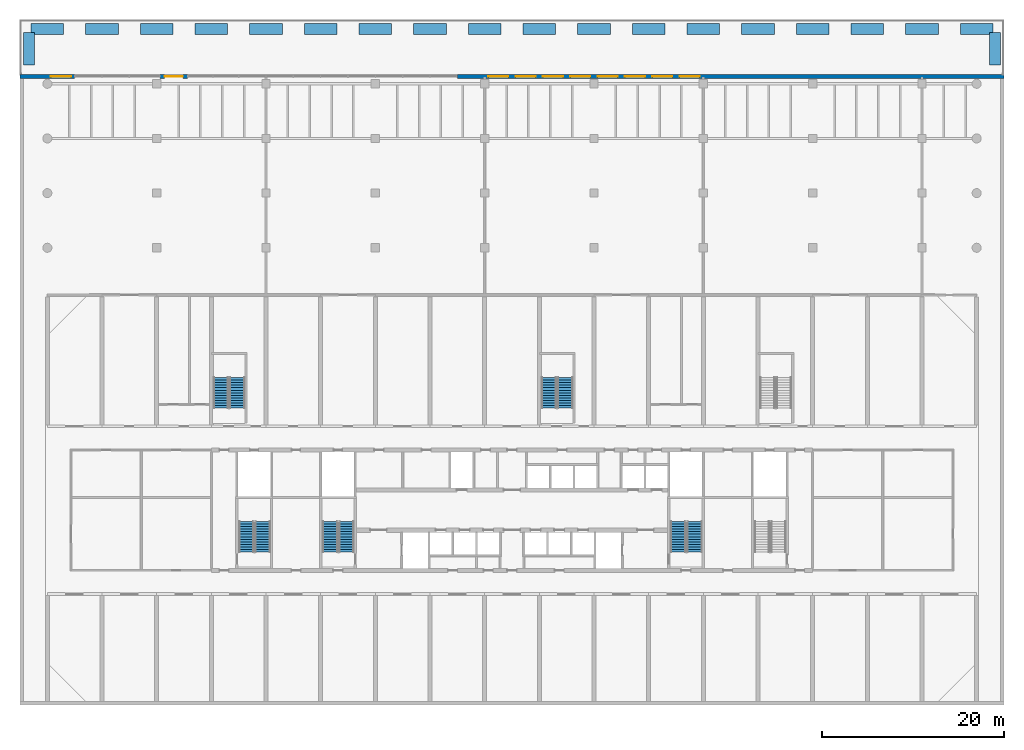
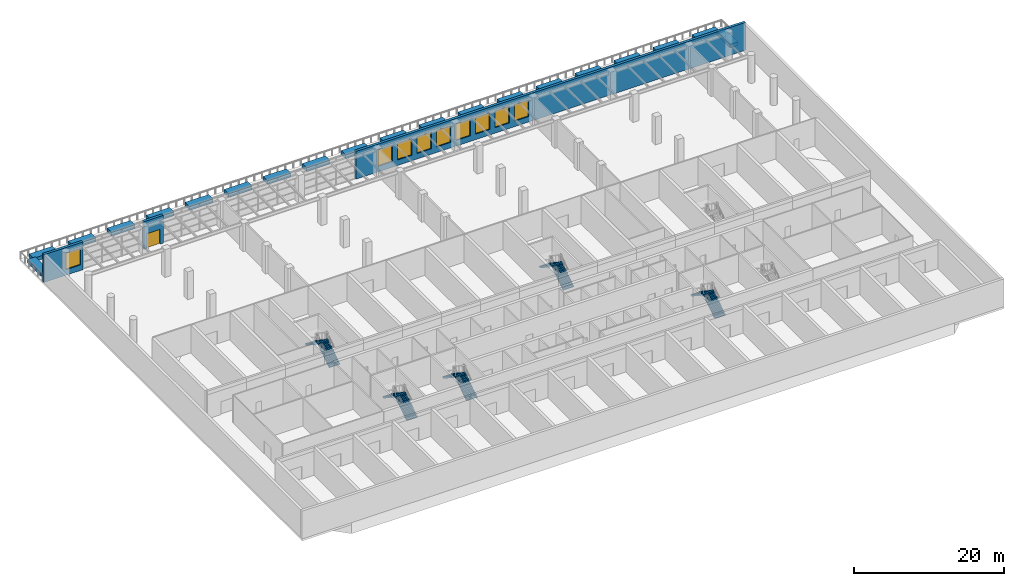
# One storey, part 16 of 20: 23 walls, 10 stair flights, 9 windows, 1 door, 10 openings, 5 elements without a shape of their own.
"""IFC4 building model written with IfcOpenShell, lengths in metres."""

import ifcopenshell
import ifcopenshell.guid

model = None  # the IFC model being written
_history = None  # IfcOwnerHistory: only IFC2X3 demands one
_inside = {}  # id of a spatial element -> (the spatial element, [elements in it])
_under = {}  # id of a project, library or spatial element -> (it, [spatial elements below it])
_declared = {}  # id of a project -> (the project, [libraries it declares])
_typed = {}  # id of a type object -> (the type object, [elements of that type])
_made_of = {}  # id of a material, layer set ... -> (it, [elements and type objects made of it])


def new_model(schema):
    """Start an empty IFC model of exactly this schema.

    Asked for "IFC4X3", IfcOpenShell would pick the latest addendum, in which some entities
    have other attributes; the version numbers below select the first issue.
    IFC2X3 requires an IfcOwnerHistory on every rooted entity: one is made here for all.
    """
    global model, _history
    if schema == "IFC4X3":
        model = ifcopenshell.file(schema_version=(4, 3, 0, 0))
    else:
        model = ifcopenshell.file(schema=schema)
    _inside.clear()
    _under.clear()
    _declared.clear()
    _typed.clear()
    _made_of.clear()
    _history = None
    if model.schema == "IFC2X3":
        org = make("IfcOrganization", Name="unknown")
        user = make(
            "IfcPersonAndOrganization",
            ThePerson=make("IfcPerson", FamilyName="unknown"),
            TheOrganization=org,
        )
        app = make(
            "IfcApplication",
            ApplicationDeveloper=org,
            Version="unknown",
            ApplicationFullName="unknown",
            ApplicationIdentifier="unknown",
        )
        _history = make(
            "IfcOwnerHistory",
            OwningUser=user,
            OwningApplication=app,
            ChangeAction="ADDED",
            CreationDate=0,
        )
    return model


def make(cls, **values):
    """One entity of the class cls with the attributes given. An attribute that is None is left unset."""
    return model.create_entity(
        cls, **{name: value for name, value in values.items() if value is not None}
    )


def rooted(cls, **values):
    """An entity with a GlobalId (a new one), such as an element, a storey or a relation."""
    return make(cls, GlobalId=ifcopenshell.guid.new(), OwnerHistory=_history, **values)


def si_unit(unit_type, name, prefix=None):
    """IfcSIUnit, for example si_unit("LENGTHUNIT", "METRE", prefix="MILLI")."""
    return make("IfcSIUnit", UnitType=unit_type, Prefix=prefix, Name=name)


def assignment(units):
    """IfcUnitAssignment: the units of a project."""
    return None if units is None else make("IfcUnitAssignment", Units=units)


def point(xyz):
    """IfcCartesianPoint."""
    return None if xyz is None else make("IfcCartesianPoint", Coordinates=xyz)


def direction(xyz):
    """IfcDirection."""
    return None if xyz is None else make("IfcDirection", DirectionRatios=xyz)


def frame(location, z_axis=None, x_axis=None):
    """IfcAxis2Placement3D, a coordinate frame: its origin and axes. An axis left out is left unset."""
    return make(
        "IfcAxis2Placement3D",
        Location=point(location),
        Axis=direction(z_axis),
        RefDirection=direction(x_axis),
    )


def frame_2d(location, x_axis=None):
    """IfcAxis2Placement2D, a coordinate frame in the plane: its origin and x axis."""
    return make(
        "IfcAxis2Placement2D", Location=point(location), RefDirection=direction(x_axis)
    )


def origin():
    """The frame at (0, 0, 0) with its axes left unset."""
    return frame((0.0, 0.0, 0.0))


def place(relative_to, where):
    """IfcLocalPlacement: puts the frame where relative to a parent placement (None: the world)."""
    return make(
        "IfcLocalPlacement", PlacementRelTo=relative_to, RelativePlacement=where
    )


def context(
    kind, dimensions, precision=None, world=None, true_north=None, identifier=None
):
    """IfcGeometricRepresentationContext, for example the 3D "Model" context."""
    return make(
        "IfcGeometricRepresentationContext",
        ContextIdentifier=identifier,
        ContextType=kind,
        CoordinateSpaceDimension=dimensions,
        Precision=precision,
        WorldCoordinateSystem=world,
        TrueNorth=true_north,
    )


def subcontext(parent, identifier, kind, view, scale=None):
    """IfcGeometricRepresentationSubContext, for example "Body" below "Model"."""
    return make(
        "IfcGeometricRepresentationSubContext",
        ContextIdentifier=identifier,
        ContextType=kind,
        ParentContext=parent,
        TargetScale=scale,
        TargetView=view,
    )


def project(units=None, contexts=None):
    """IfcProject with its units and contexts."""
    return rooted(
        "IfcProject",
        Name="project",
        RepresentationContexts=contexts,
        UnitsInContext=assignment(units),
    )


def spatial(cls, under=None, at=None, **own):
    """A site, building, storey or space (cls), placed at a placement, below another one or the project."""
    s = rooted(cls, ObjectPlacement=at, **own)
    if under is not None:
        _under.setdefault(under.id(), (under, []))[1].append(s)
    return s


def polyline(points):
    """IfcPolyline through the points."""
    return make("IfcPolyline", Points=[point(p) for p in points])


def profile(cls, at=None, kind="AREA", **sizes):
    """A parametric profile (cls). Its sizes go by their IFC names, for example OverallWidth=200.0."""
    return make(cls, ProfileType=kind, Position=at, **sizes)


def rectangle(**sizes):
    """IfcRectangleProfileDef."""
    return profile("IfcRectangleProfileDef", **sizes)


def outline(outer, holes=None, kind="AREA"):
    """IfcArbitraryClosedProfileDef: a profile drawn as a closed curve; with holes, ...WithVoids."""
    if holes is None:
        return make("IfcArbitraryClosedProfileDef", ProfileType=kind, OuterCurve=outer)
    return make(
        "IfcArbitraryProfileDefWithVoids",
        ProfileType=kind,
        OuterCurve=outer,
        InnerCurves=holes,
    )


def extrude(swept, where, along, depth):
    """IfcExtrudedAreaSolid: the profile swept, set in the frame where, extruded along a direction by depth."""
    return make(
        "IfcExtrudedAreaSolid",
        SweptArea=swept,
        Position=where,
        ExtrudedDirection=direction(along),
        Depth=depth,
    )


def shape(context_of_items, identifier, shape_type, items):
    """IfcShapeRepresentation: the items that make up one representation, for example the "Body"."""
    return make(
        "IfcShapeRepresentation",
        ContextOfItems=context_of_items,
        RepresentationIdentifier=identifier,
        RepresentationType=shape_type,
        Items=items,
    )


def source(mapping_origin, context_of_items, identifier, shape_type, items):
    """IfcRepresentationMap: a shape defined once, which mapped items show again and again."""
    return make(
        "IfcRepresentationMap",
        MappingOrigin=mapping_origin,
        MappedRepresentation=shape(context_of_items, identifier, shape_type, items),
    )


def transform(
    local_origin,
    x_axis=None,
    y_axis=None,
    z_axis=None,
    scale=None,
    scale2=None,
    scale3=None,
    uniform=True,
):
    """IfcCartesianTransformationOperator3D, or its non-uniform kind. x_axis, y_axis, z_axis: its Axis1, 2, 3."""
    if uniform:
        return make(
            "IfcCartesianTransformationOperator3D",
            Axis1=direction(x_axis),
            Axis2=direction(y_axis),
            LocalOrigin=point(local_origin),
            Scale=scale,
            Axis3=direction(z_axis),
        )
    return make(
        "IfcCartesianTransformationOperator3DnonUniform",
        Axis1=direction(x_axis),
        Axis2=direction(y_axis),
        LocalOrigin=point(local_origin),
        Scale=scale,
        Axis3=direction(z_axis),
        Scale2=scale2,
        Scale3=scale3,
    )


def mapped(mapping_source, mapping_target):
    """IfcMappedItem: shows the shape of a source again, moved by a transform."""
    return make(
        "IfcMappedItem", MappingSource=mapping_source, MappingTarget=mapping_target
    )


def material(Name=None, Category=None):
    """IfcMaterial."""
    return make("IfcMaterial", Name=Name, Category=Category)


def layer(
    of_material, thickness, ventilated=None, Name=None, Category=None, Priority=None
):
    """IfcMaterialLayer: one layer of a wall or slab, of a material (None: an air gap)."""
    return make(
        "IfcMaterialLayer",
        Material=of_material,
        LayerThickness=thickness,
        IsVentilated=ventilated,
        Name=Name,
        Category=Category,
        Priority=Priority,
    )


def layer_set(layers, Name=None):
    """IfcMaterialLayerSet."""
    return make("IfcMaterialLayerSet", MaterialLayers=layers, LayerSetName=Name)


def made_of(thing, what):
    """Note that an element or type object is made of a material, layer set ...; save() writes the relation."""
    if what is not None:
        _made_of.setdefault(what.id(), (what, []))[1].append(thing)
    return thing


def type_object(cls, material=None, **own):
    """A type object (cls), such as IfcWallType, which elements share."""
    return made_of(rooted(cls, **own), material)


def element(
    cls,
    number,
    at=None,
    inside=None,
    cuts=None,
    type_object=None,
    material=None,
    context=None,
    identifier="Body",
    shape_type=None,
    held_by="IfcProductDefinitionShape",
    body=None,
    shapes=None,
    **own,
):
    """One element of the class cls, such as IfcWall. Its Tag is "e" and its number.

    at: its placement. inside: the storey or other place that contains it. cuts: it is an
    opening in that element (IfcRelVoidsElement). A single representation is given by context,
    identifier, shape_type and body (its items); several are given by shapes. held_by: the class
    of the entity that holds the representations. save() writes the other relations.
    """
    e = rooted(cls, Tag="e%d" % number, ObjectPlacement=at, **own)
    if body is not None:
        shapes = [shape(context, identifier, shape_type, body)]
    if shapes is not None:
        e.Representation = make(held_by, Representations=shapes)
    if inside is not None:
        _inside.setdefault(inside.id(), (inside, []))[1].append(e)
    if cuts is not None:
        rooted(
            "IfcRelVoidsElement", RelatingBuildingElement=cuts, RelatedOpeningElement=e
        )
    if type_object is not None:
        _typed.setdefault(type_object.id(), (type_object, []))[1].append(e)
    return made_of(e, material)


def fill(opening, filler):
    """IfcRelFillsElement: the door or window that sits in an opening."""
    return rooted(
        "IfcRelFillsElement",
        RelatingOpeningElement=opening,
        RelatedBuildingElement=filler,
    )


def aggregate(whole, parts):
    """IfcRelAggregates: a whole, such as a stair, and the parts it consists of."""
    return rooted("IfcRelAggregates", RelatingObject=whole, RelatedObjects=parts)


def save(model, path):
    """Write the relations noted so far, then the file.

    IfcRelAggregates (storeys below a building ...), IfcRelContainedInSpatialStructure (elements
    in a storey), IfcRelDefinesByType, IfcRelAssociatesMaterial and IfcRelDeclares: one each for
    every whole, place, type object, material and project.
    """
    for whole, parts in _under.values():
        aggregate(whole, parts)
    for where, things in _inside.values():
        rooted(
            "IfcRelContainedInSpatialStructure",
            RelatedElements=things,
            RelatingStructure=where,
        )
    for kind, things in _typed.values():
        rooted("IfcRelDefinesByType", RelatedObjects=things, RelatingType=kind)
    for what, things in _made_of.values():
        rooted("IfcRelAssociatesMaterial", RelatedObjects=things, RelatingMaterial=what)
    for by, libraries in _declared.values():
        rooted("IfcRelDeclares", RelatingContext=by, RelatedDefinitions=libraries)
    model.write(path)


model = new_model("IFC4")

# Units and contexts
model_context = context("Model", 3, precision=1e-05, world=origin(), true_north=direction((0.0, 1.0)))
body_context = subcontext(model_context, "Body", "Model", "MODEL_VIEW")
ifc_project = project(units=[si_unit("LENGTHUNIT", "METRE"), si_unit("AREAUNIT", "SQUARE_METRE"), si_unit("VOLUMEUNIT", "CUBIC_METRE"), si_unit("PLANEANGLEUNIT", "RADIAN"), si_unit("MASSUNIT", "GRAM", prefix="KILO")], contexts=[model_context])

# Site, building, storey
site_placement = place(None, origin())
site = spatial("IfcSite", under=ifc_project, at=site_placement, CompositionType="ELEMENT")
building_placement = place(site_placement, origin())
building = spatial("IfcBuilding", under=site, at=building_placement, Name="Poui Terraces", CompositionType="ELEMENT")
storey_placement = place(building_placement, frame((0.0, 0.0, 6.0)))
storey = spatial("IfcBuildingStorey", under=building, at=storey_placement, Name="L01", CompositionType="ELEMENT", Elevation=6.0)

# Wall, openings, windows
ifc_material_1 = material(Name="Precast concrete 40 MPa", Category="concrete")
ifc_layer_1 = layer(ifc_material_1, 0.39990234375)
ifc_layer_set_1 = layer_set([ifc_layer_1], Name="Precast concrete 40 MPa")
wall_type_1 = type_object("IfcWallType", Name="EXTERNAL WALL 400", PredefinedType="STANDARD", material=ifc_layer_set_1)
wall_1_placement = place(storey_placement, frame((105.0, 68.800048828125, 0.0), z_axis=(0.0, 0.0, 1.0), x_axis=(-1.0, 0.0, 0.0)))
wall_1 = element("IfcWall", 1, at=wall_1_placement, inside=storey, type_object=wall_type_1, Name="EXTERNAL WALL N", PredefinedType="STANDARD", context=body_context, shape_type="SweptSolid", body=[
    extrude(rectangle(XDim=60.0, YDim=0.39990234375, at=frame_2d((30.0, 0.0))), origin(), (0.0, 0.0, 1.0), 4.52001953125),
])
opening_1_placement = place(wall_1_placement, frame((54.39990234375, 0.0, 0.89990234375)))
opening_1 = element("IfcOpeningElement", 2, at=opening_1_placement, cuts=wall_1, Name="Opening W4", PredefinedType="OPENING", context=body_context, shape_type="SweptSolid", body=[
    extrude(rectangle(XDim=2.199951171875, YDim=2.699951171875, at=frame_2d((1.10009765625, 1.35009765625))), frame((0.0, 0.2099609375, 0.0), z_axis=(0.0, -1.0, 0.0), x_axis=(1.0, 0.0, 0.0)), (0.0, 0.0, 1.0), 0.419921875),
])
opening_2_placement = place(wall_1_placement, frame((51.39990234375, 0.0, 0.89990234375)))
opening_2 = element("IfcOpeningElement", 3, at=opening_2_placement, cuts=wall_1, Name="Opening W4", PredefinedType="OPENING", context=body_context, shape_type="SweptSolid", body=[
    extrude(rectangle(XDim=2.199951171875, YDim=2.699951171875, at=frame_2d((1.10009765625, 1.35009765625))), frame((0.0, 0.2099609375, 0.0), z_axis=(0.0, -1.0, 0.0), x_axis=(1.0, 0.0, 0.0)), (0.0, 0.0, 1.0), 0.419921875),
])
opening_3_placement = place(wall_1_placement, frame((48.39990234375, 0.0, 0.89990234375)))
opening_3 = element("IfcOpeningElement", 4, at=opening_3_placement, cuts=wall_1, Name="Opening W4", PredefinedType="OPENING", context=body_context, shape_type="SweptSolid", body=[
    extrude(rectangle(XDim=2.199951171875, YDim=2.699951171875, at=frame_2d((1.10009765625, 1.35009765625))), frame((0.0, 0.2099609375, 0.0), z_axis=(0.0, -1.0, 0.0), x_axis=(1.0, 0.0, 0.0)), (0.0, 0.0, 1.0), 0.419921875),
])
opening_4_placement = place(wall_1_placement, frame((45.39990234375, 0.0, 0.89990234375)))
opening_4 = element("IfcOpeningElement", 5, at=opening_4_placement, cuts=wall_1, Name="Opening W4", PredefinedType="OPENING", context=body_context, shape_type="SweptSolid", body=[
    extrude(rectangle(XDim=2.199951171875, YDim=2.699951171875, at=frame_2d((1.10009765625, 1.35009765625))), frame((0.0, 0.2099609375, 0.0), z_axis=(0.0, -1.0, 0.0), x_axis=(1.0, 0.0, 0.0)), (0.0, 0.0, 1.0), 0.419921875),
])
opening_5_placement = place(wall_1_placement, frame((42.39990234375, 0.0, 0.89990234375)))
opening_5 = element("IfcOpeningElement", 6, at=opening_5_placement, cuts=wall_1, Name="Opening W4", PredefinedType="OPENING", context=body_context, shape_type="SweptSolid", body=[
    extrude(rectangle(XDim=2.199951171875, YDim=2.699951171875, at=frame_2d((1.10009765625, 1.35009765625))), frame((0.0, 0.2099609375, 0.0), z_axis=(0.0, -1.0, 0.0), x_axis=(1.0, 0.0, 0.0)), (0.0, 0.0, 1.0), 0.419921875),
])
opening_6_placement = place(wall_1_placement, frame((39.39990234375, 0.0, 0.89990234375)))
opening_6 = element("IfcOpeningElement", 7, at=opening_6_placement, cuts=wall_1, Name="Opening W4", PredefinedType="OPENING", context=body_context, shape_type="SweptSolid", body=[
    extrude(rectangle(XDim=2.199951171875, YDim=2.699951171875, at=frame_2d((1.10009765625, 1.35009765625))), frame((0.0, 0.2099609375, 0.0), z_axis=(0.0, -1.0, 0.0), x_axis=(1.0, 0.0, 0.0)), (0.0, 0.0, 1.0), 0.419921875),
])
opening_7_placement = place(wall_1_placement, frame((36.39990234375, 0.0, 0.89990234375)))
opening_7 = element("IfcOpeningElement", 8, at=opening_7_placement, cuts=wall_1, Name="Opening W4", PredefinedType="OPENING", context=body_context, shape_type="SweptSolid", body=[
    extrude(rectangle(XDim=2.199951171875, YDim=2.699951171875, at=frame_2d((1.10009765625, 1.35009765625))), frame((0.0, 0.2099609375, 0.0), z_axis=(0.0, -1.0, 0.0), x_axis=(1.0, 0.0, 0.0)), (0.0, 0.0, 1.0), 0.419921875),
])
opening_8_placement = place(wall_1_placement, frame((33.39990234375, 0.0, 0.89990234375)))
opening_8 = element("IfcOpeningElement", 9, at=opening_8_placement, cuts=wall_1, Name="Opening W4", PredefinedType="OPENING", context=body_context, shape_type="SweptSolid", body=[
    extrude(rectangle(XDim=2.199951171875, YDim=2.699951171875, at=frame_2d((1.10009765625, 1.35009765625))), frame((0.0, 0.2099609375, 0.0), z_axis=(0.0, -1.0, 0.0), x_axis=(1.0, 0.0, 0.0)), (0.0, 0.0, 1.0), 0.419921875),
])
ifc_material_2 = material(Name="Clear glass in aluminium frame", Category="aluminium")
window_type = type_object("IfcWindowType", Name="WINDOW 2200X2700", PartitioningType="DOUBLE_PANEL_HORIZONTAL", PredefinedType="WINDOW", material=ifc_material_2)
window_1_placement = place(opening_1_placement, origin())
window_1 = element("IfcWindow", 10, at=window_1_placement, inside=storey, type_object=window_type, Name="W4 WINDOW", OverallHeight=2.699951171875, OverallWidth=2.199951171875, PartitioningType="DOUBLE_PANEL_HORIZONTAL", PredefinedType="WINDOW", context=body_context, shape_type="SweptSolid", body=[
    extrude(rectangle(XDim=2.199951171875, YDim=2.699951171875, at=frame_2d((1.10009765625, 1.35009765625))), frame((0.0, 0.030029296875, 0.0), z_axis=(0.0, -1.0, 0.0), x_axis=(1.0, 0.0, 0.0)), (0.0, 0.0, 1.0), 0.06005859375),
])
fill(opening_1, window_1)
window_2_placement = place(opening_2_placement, origin())
window_2 = element("IfcWindow", 11, at=window_2_placement, inside=storey, type_object=window_type, Name="W4 WINDOW", OverallHeight=2.699951171875, OverallWidth=2.199951171875, PartitioningType="DOUBLE_PANEL_HORIZONTAL", PredefinedType="WINDOW", context=body_context, shape_type="SweptSolid", body=[
    extrude(rectangle(XDim=2.199951171875, YDim=2.699951171875, at=frame_2d((1.10009765625, 1.35009765625))), frame((0.0, 0.030029296875, 0.0), z_axis=(0.0, -1.0, 0.0), x_axis=(1.0, 0.0, 0.0)), (0.0, 0.0, 1.0), 0.06005859375),
])
fill(opening_2, window_2)
window_3_placement = place(opening_3_placement, origin())
window_3 = element("IfcWindow", 12, at=window_3_placement, inside=storey, type_object=window_type, Name="W4 WINDOW", OverallHeight=2.699951171875, OverallWidth=2.199951171875, PartitioningType="DOUBLE_PANEL_HORIZONTAL", PredefinedType="WINDOW", context=body_context, shape_type="SweptSolid", body=[
    extrude(rectangle(XDim=2.199951171875, YDim=2.699951171875, at=frame_2d((1.10009765625, 1.35009765625))), frame((0.0, 0.030029296875, 0.0), z_axis=(0.0, -1.0, 0.0), x_axis=(1.0, 0.0, 0.0)), (0.0, 0.0, 1.0), 0.06005859375),
])
fill(opening_3, window_3)
window_4_placement = place(opening_4_placement, origin())
window_4 = element("IfcWindow", 13, at=window_4_placement, inside=storey, type_object=window_type, Name="W4 WINDOW", OverallHeight=2.699951171875, OverallWidth=2.199951171875, PartitioningType="DOUBLE_PANEL_HORIZONTAL", PredefinedType="WINDOW", context=body_context, shape_type="SweptSolid", body=[
    extrude(rectangle(XDim=2.199951171875, YDim=2.699951171875, at=frame_2d((1.10009765625, 1.35009765625))), frame((0.0, 0.030029296875, 0.0), z_axis=(0.0, -1.0, 0.0), x_axis=(1.0, 0.0, 0.0)), (0.0, 0.0, 1.0), 0.06005859375),
])
fill(opening_4, window_4)
window_5_placement = place(opening_5_placement, origin())
window_5 = element("IfcWindow", 14, at=window_5_placement, inside=storey, type_object=window_type, Name="W4 WINDOW", OverallHeight=2.699951171875, OverallWidth=2.199951171875, PartitioningType="DOUBLE_PANEL_HORIZONTAL", PredefinedType="WINDOW", context=body_context, shape_type="SweptSolid", body=[
    extrude(rectangle(XDim=2.199951171875, YDim=2.699951171875, at=frame_2d((1.10009765625, 1.35009765625))), frame((0.0, 0.030029296875, 0.0), z_axis=(0.0, -1.0, 0.0), x_axis=(1.0, 0.0, 0.0)), (0.0, 0.0, 1.0), 0.06005859375),
])
fill(opening_5, window_5)
window_6_placement = place(opening_6_placement, origin())
window_6 = element("IfcWindow", 15, at=window_6_placement, inside=storey, type_object=window_type, Name="W4 WINDOW", OverallHeight=2.699951171875, OverallWidth=2.199951171875, PartitioningType="DOUBLE_PANEL_HORIZONTAL", PredefinedType="WINDOW", context=body_context, shape_type="SweptSolid", body=[
    extrude(rectangle(XDim=2.199951171875, YDim=2.699951171875, at=frame_2d((1.10009765625, 1.35009765625))), frame((0.0, 0.030029296875, 0.0), z_axis=(0.0, -1.0, 0.0), x_axis=(1.0, 0.0, 0.0)), (0.0, 0.0, 1.0), 0.06005859375),
])
fill(opening_6, window_6)
window_7_placement = place(opening_7_placement, origin())
window_7 = element("IfcWindow", 16, at=window_7_placement, inside=storey, type_object=window_type, Name="W4 WINDOW", OverallHeight=2.699951171875, OverallWidth=2.199951171875, PartitioningType="DOUBLE_PANEL_HORIZONTAL", PredefinedType="WINDOW", context=body_context, shape_type="SweptSolid", body=[
    extrude(rectangle(XDim=2.199951171875, YDim=2.699951171875, at=frame_2d((1.10009765625, 1.35009765625))), frame((0.0, 0.030029296875, 0.0), z_axis=(0.0, -1.0, 0.0), x_axis=(1.0, 0.0, 0.0)), (0.0, 0.0, 1.0), 0.06005859375),
])
fill(opening_7, window_7)
window_8_placement = place(opening_8_placement, origin())
window_8 = element("IfcWindow", 17, at=window_8_placement, inside=storey, type_object=window_type, Name="W4 WINDOW", OverallHeight=2.699951171875, OverallWidth=2.199951171875, PartitioningType="DOUBLE_PANEL_HORIZONTAL", PredefinedType="WINDOW", context=body_context, shape_type="SweptSolid", body=[
    extrude(rectangle(XDim=2.199951171875, YDim=2.699951171875, at=frame_2d((1.10009765625, 1.35009765625))), frame((0.0, 0.030029296875, 0.0), z_axis=(0.0, -1.0, 0.0), x_axis=(1.0, 0.0, 0.0)), (0.0, 0.0, 1.0), 0.06005859375),
])
fill(opening_8, window_8)

# Wall, opening, door
wall_2_placement = place(storey_placement, frame((15.3798828125, 68.800048828125, 0.0), z_axis=(0.0, 0.0, 1.0), x_axis=(-1.0, 0.0, 0.0)))
wall_2 = element("IfcWall", 18, at=wall_2_placement, inside=storey, type_object=wall_type_1, Name="EXTERNAL WALL N", PredefinedType="STANDARD", context=body_context, shape_type="SweptSolid", body=[
    extrude(rectangle(XDim=3.0, YDim=0.39990234375, at=frame_2d((1.5, 0.0))), origin(), (0.0, 0.0, 1.0), 4.52001953125),
])
opening_9_placement = place(wall_2_placement, frame((0.5, 0.0, 0.0)))
opening_9 = element("IfcOpeningElement", 19, at=opening_9_placement, cuts=wall_2, Name="Opening XDD200", PredefinedType="OPENING", context=body_context, shape_type="SweptSolid", body=[
    extrude(rectangle(XDim=2.0, YDim=2.39990234375, at=frame_2d((1.0, 1.199951171875))), frame((0.0, 0.2099609375, 0.0), z_axis=(0.0, -1.0, 0.0), x_axis=(1.0, 0.0, 0.0)), (0.0, 0.0, 1.0), 0.419921875),
])
ifc_material_3 = material(Name="Aluminium glazed door", Category="aluminium")
door_type = type_object("IfcDoorType", Name="EXTERNAL DOUBLE DOOR 2000 X 2400", OperationType="DOUBLE_DOOR_SINGLE_SWING", PredefinedType="DOOR", material=ifc_material_3)
door_placement = place(opening_9_placement, frame((2.0, 0.0, 0.0), z_axis=(0.0, 0.0, 1.0), x_axis=(-1.0, 0.0, 0.0)))
door = element("IfcDoor", 20, at=door_placement, inside=storey, type_object=door_type, Name="EXTERNAL DOUBLE DOOR 081", OperationType="DOUBLE_DOOR_SINGLE_SWING", OverallHeight=2.39990234375, OverallWidth=2.0, PredefinedType="DOOR", context=body_context, shape_type="SweptSolid", body=[
    extrude(rectangle(XDim=2.0, YDim=2.39990234375, at=frame_2d((1.0, 1.199951171875))), frame((0.0, 0.02490234375, 0.0), z_axis=(0.0, -1.0, 0.0), x_axis=(1.0, 0.0, 0.0)), (0.0, 0.0, 1.0), 0.050048828125),
])
fill(opening_9, door)

# Wall, opening, window
wall_3_placement = place(storey_placement, frame((3.0, 68.800048828125, 0.0), z_axis=(0.0, 0.0, 1.0), x_axis=(-1.0, 0.0, 0.0)))
wall_3 = element("IfcWall", 21, at=wall_3_placement, inside=storey, type_object=wall_type_1, Name="EXTERNAL WALL N", PredefinedType="STANDARD", context=body_context, shape_type="SweptSolid", body=[
    extrude(rectangle(XDim=6.0, YDim=0.39990234375, at=frame_2d((3.0, 0.0))), origin(), (0.0, 0.0, 1.0), 4.52001953125),
])
opening_10_placement = place(wall_3_placement, frame((0.39990234375, 0.0, 0.89990234375)))
opening_10 = element("IfcOpeningElement", 22, at=opening_10_placement, cuts=wall_3, Name="Opening W4", PredefinedType="OPENING", context=body_context, shape_type="SweptSolid", body=[
    extrude(rectangle(XDim=2.199951171875, YDim=2.699951171875, at=frame_2d((1.10009765625, 1.35009765625))), frame((0.0, 0.2099609375, 0.0), z_axis=(0.0, -1.0, 0.0), x_axis=(1.0, 0.0, 0.0)), (0.0, 0.0, 1.0), 0.419921875),
])
window_9_placement = place(opening_10_placement, origin())
window_9 = element("IfcWindow", 23, at=window_9_placement, inside=storey, type_object=window_type, Name="W4 WINDOW", OverallHeight=2.699951171875, OverallWidth=2.199951171875, PartitioningType="DOUBLE_PANEL_HORIZONTAL", PredefinedType="WINDOW", context=body_context, shape_type="SweptSolid", body=[
    extrude(rectangle(XDim=2.199951171875, YDim=2.699951171875, at=frame_2d((1.10009765625, 1.35009765625))), frame((0.0, 0.030029296875, 0.0), z_axis=(0.0, -1.0, 0.0), x_axis=(1.0, 0.0, 0.0)), (0.0, 0.0, 1.0), 0.06005859375),
])
fill(opening_10, window_9)

# Walls
ifc_layer_2 = layer(ifc_material_1, 1.199951171875)
ifc_layer_set_2 = layer_set([ifc_layer_2], Name="Precast concrete 40 MPa")
wall_type_2 = type_object("IfcWallType", Name="PLANTER 600", PredefinedType="USERDEFINED", material=ifc_layer_set_2)
shared_shape_1 = source(origin(), body_context, "Body", "SweptSolid", [
    extrude(outline(polyline([(0.0, 0.0), (3.60009765625, 0.0), (3.60009765625, 1.2001953125), (0.0, 1.2001953125), (0.0, 0.0)])), origin(), (0.0, 0.0, 1.0), 0.60009765625),
])
for number, where, name in (
    (24, (-1.800048828125, 73.419921875, 0.0), "PLANTER"),
    (25, (4.199951171875, 73.419921875, 0.0), "PLANTER"),
    (26, (10.199951171875, 73.419921875, 0.0), "PLANTER"),
    (27, (16.199951171875, 73.419921875, 0.0), "PLANTER"),
    (28, (22.199951171875, 73.419921875, 0.0), "PLANTER"),
    (29, (28.199951171875, 73.419921875, 0.0), "PLANTER"),
    (30, (34.199951171875, 73.419921875, 0.0), "PLANTER"),
    (31, (40.199951171875, 73.419921875, 0.0), "PLANTER"),
    (32, (46.199951171875, 73.419921875, 0.0), "PLANTER"),
    (33, (52.199951171875, 73.419921875, 0.0), "PLANTER"),
    (34, (58.199951171875, 73.419921875, 0.0), "PLANTER"),
    (35, (64.199951171875, 73.419921875, 0.0), "PLANTER"),
    (36, (70.199951171875, 73.419921875, 0.0), "PLANTER"),
    (37, (76.199951171875, 73.419921875, 0.0), "PLANTER"),
    (38, (82.199951171875, 73.419921875, 0.0), "PLANTER"),
    (39, (88.199951171875, 73.419921875, 0.0), "PLANTER"),
    (40, (94.199951171875, 73.419921875, 0.0), "PLANTER"),
    (41, (100.199951171875, 73.419921875, 0.0), "PLANTER"),
):
    element("IfcWall", number, at=place(storey_placement, frame(where)), inside=storey, type_object=wall_type_2, Name=name, ObjectType="PLANTER", PredefinedType="USERDEFINED", context=body_context, shape_type="MappedRepresentation", body=[
        mapped(shared_shape_1, transform((0.0, 0.0, 0.0))),
    ])
shared_shape_2 = source(origin(), body_context, "Body", "SweptSolid", [
    extrude(outline(polyline([(0.0, 0.0), (1.2001953125, 0.0), (1.2001953125, 3.599853515625), (0.0, 3.599853515625), (0.0, 0.0)])), origin(), (0.0, 0.0, 1.0), 0.60009765625),
])
for number, where, name in (
    (42, (-2.6201171875, 70.0400390625, 0.0), "PLANTER"),
    (43, (103.419921875, 70.0400390625, 0.0), "PLANTER"),
):
    element("IfcWall", number, at=place(storey_placement, frame(where)), inside=storey, type_object=wall_type_2, Name=name, ObjectType="PLANTER", PredefinedType="USERDEFINED", context=body_context, shape_type="MappedRepresentation", body=[
        mapped(shared_shape_2, transform((0.0, 0.0, 0.0))),
    ])

# Stair, stair flights
ifc_material_4 = material(Name="Concrete 80 MPa", Category="concrete")
stair_type = type_object("IfcStairType", Name="EXIT STAIR 1650 80 MPA", PredefinedType="HALF_TURN_STAIR", material=ifc_material_4)
stair_1_placement = place(storey_placement, origin())
stair_1 = element("IfcStair", 44, at=stair_1_placement, inside=storey, type_object=stair_type, Name="L01 CORE STAIR EAST", PredefinedType="HALF_TURN_STAIR")
ifc_layer_3 = layer(ifc_material_4, 0.14990234375)
ifc_layer_set_3 = layer_set([ifc_layer_3], Name="Concrete 80 MPa")
stair_flight_type = type_object("IfcStairFlightType", Name="STAIR FLIGHT 13 RISERS 185 RISE 80 MPA", PredefinedType="STRAIGHT", material=ifc_layer_set_3)
stair_flight_1_placement = place(storey_placement, frame((71.050048828125, 16.60009765625, 0.0), z_axis=(0.0, 0.0, 1.0), x_axis=(0.0, 1.0, 0.0)))
stair_flight_1 = element("IfcStairFlight", 45, at=stair_flight_1_placement, type_object=stair_flight_type, Name="ST-CE flight 1", NumberOfRisers=13, NumberOfTreads=12, PredefinedType="STRAIGHT", RiserHeight=0.184615385, TreadLength=0.28, context=body_context, shape_type="SweptSolid", body=[
    extrude(outline(polyline([(0.0, 0.0), (0.0, 0.1845703125), (0.280029296875, 0.1845703125), (0.280029296875, 0.369140625), (0.56005859375, 0.369140625), (0.56005859375, 0.553955078125), (0.840087890625, 0.553955078125), (0.840087890625, 0.738525390625), (1.1201171875, 0.738525390625), (1.1201171875, 0.923095703125), (1.39990234375, 0.923095703125), (1.39990234375, 1.107666015625), (1.679931640625, 1.107666015625), (1.679931640625, 1.292236328125), (1.9599609375, 1.292236328125), (1.9599609375, 1.476806640625), (2.239990234375, 1.476806640625), (2.239990234375, 1.66162109375), (2.52001953125, 1.66162109375), (2.52001953125, 1.84619140625), (2.800048828125, 1.84619140625), (2.800048828125, 2.03076171875), (3.080078125, 2.03076171875), (3.080078125, 2.21533203125), (3.360107421875, 2.21533203125), (3.360107421875, 2.39990234375), (3.360107421875, 2.035888671875), (0.272216796875, 0.0), (0.0, 0.0)])), frame((0.0, 0.824951171875, 0.0), z_axis=(0.0, -1.0, 0.0), x_axis=(1.0, 0.0, 0.0)), (0.0, 0.0, 1.0), 1.64990234375),
])
stair_flight_2_placement = place(storey_placement, frame((69.25, 19.9599609375, 2.39990234375), z_axis=(0.0, 0.0, 1.0), x_axis=(0.0, -1.0, 0.0)))
stair_flight_2 = element("IfcStairFlight", 46, at=stair_flight_2_placement, type_object=stair_flight_type, Name="ST-CE flight 2", NumberOfRisers=13, NumberOfTreads=12, PredefinedType="STRAIGHT", RiserHeight=0.184615385, TreadLength=0.28, context=body_context, shape_type="SweptSolid", body=[
    extrude(outline(polyline([(0.0, 0.0), (0.0, 0.1845703125), (0.280029296875, 0.1845703125), (0.280029296875, 0.369140625), (0.56005859375, 0.369140625), (0.56005859375, 0.553955078125), (0.840087890625, 0.553955078125), (0.840087890625, 0.738525390625), (1.1201171875, 0.738525390625), (1.1201171875, 0.923095703125), (1.39990234375, 0.923095703125), (1.39990234375, 1.107666015625), (1.679931640625, 1.107666015625), (1.679931640625, 1.292236328125), (1.9599609375, 1.292236328125), (1.9599609375, 1.476806640625), (2.239990234375, 1.476806640625), (2.239990234375, 1.66162109375), (2.52001953125, 1.66162109375), (2.52001953125, 1.84619140625), (2.800048828125, 1.84619140625), (2.800048828125, 2.03076171875), (3.080078125, 2.03076171875), (3.080078125, 2.21533203125), (3.360107421875, 2.21533203125), (3.360107421875, 2.39990234375), (3.360107421875, 2.035888671875), (0.272216796875, 0.0), (0.0, 0.0)])), frame((0.0, 0.824951171875, 0.0), z_axis=(0.0, -1.0, 0.0), x_axis=(1.0, 0.0, 0.0)), (0.0, 0.0, 1.0), 1.64990234375),
])
aggregate(stair_1, [stair_flight_1, stair_flight_2])

stair_2_placement = place(storey_placement, origin())
stair_2 = element("IfcStair", 47, at=stair_2_placement, inside=storey, type_object=stair_type, Name="L01 CORE STAIR WEST", PredefinedType="HALF_TURN_STAIR")
stair_flight_3_placement = place(storey_placement, frame((32.85009765625, 16.60009765625, 0.0), z_axis=(0.0, 0.0, 1.0), x_axis=(0.0, 1.0, 0.0)))
stair_flight_3 = element("IfcStairFlight", 48, at=stair_flight_3_placement, type_object=stair_flight_type, Name="ST-CW flight 1", NumberOfRisers=13, NumberOfTreads=12, PredefinedType="STRAIGHT", RiserHeight=0.184615385, TreadLength=0.28, context=body_context, shape_type="SweptSolid", body=[
    extrude(outline(polyline([(0.0, 0.0), (0.0, 0.1845703125), (0.280029296875, 0.1845703125), (0.280029296875, 0.369140625), (0.56005859375, 0.369140625), (0.56005859375, 0.553955078125), (0.840087890625, 0.553955078125), (0.840087890625, 0.738525390625), (1.1201171875, 0.738525390625), (1.1201171875, 0.923095703125), (1.39990234375, 0.923095703125), (1.39990234375, 1.107666015625), (1.679931640625, 1.107666015625), (1.679931640625, 1.292236328125), (1.9599609375, 1.292236328125), (1.9599609375, 1.476806640625), (2.239990234375, 1.476806640625), (2.239990234375, 1.66162109375), (2.52001953125, 1.66162109375), (2.52001953125, 1.84619140625), (2.800048828125, 1.84619140625), (2.800048828125, 2.03076171875), (3.080078125, 2.03076171875), (3.080078125, 2.21533203125), (3.360107421875, 2.21533203125), (3.360107421875, 2.39990234375), (3.360107421875, 2.035888671875), (0.272216796875, 0.0), (0.0, 0.0)])), frame((0.0, 0.824951171875, 0.0), z_axis=(0.0, -1.0, 0.0), x_axis=(1.0, 0.0, 0.0)), (0.0, 0.0, 1.0), 1.64990234375),
])
stair_flight_4_placement = place(storey_placement, frame((31.050048828125, 19.9599609375, 2.39990234375), z_axis=(0.0, 0.0, 1.0), x_axis=(0.0, -1.0, 0.0)))
stair_flight_4 = element("IfcStairFlight", 49, at=stair_flight_4_placement, type_object=stair_flight_type, Name="ST-CW flight 2", NumberOfRisers=13, NumberOfTreads=12, PredefinedType="STRAIGHT", RiserHeight=0.184615385, TreadLength=0.28, context=body_context, shape_type="SweptSolid", body=[
    extrude(outline(polyline([(0.0, 0.0), (0.0, 0.1845703125), (0.280029296875, 0.1845703125), (0.280029296875, 0.369140625), (0.56005859375, 0.369140625), (0.56005859375, 0.553955078125), (0.840087890625, 0.553955078125), (0.840087890625, 0.738525390625), (1.1201171875, 0.738525390625), (1.1201171875, 0.923095703125), (1.39990234375, 0.923095703125), (1.39990234375, 1.107666015625), (1.679931640625, 1.107666015625), (1.679931640625, 1.292236328125), (1.9599609375, 1.292236328125), (1.9599609375, 1.476806640625), (2.239990234375, 1.476806640625), (2.239990234375, 1.66162109375), (2.52001953125, 1.66162109375), (2.52001953125, 1.84619140625), (2.800048828125, 1.84619140625), (2.800048828125, 2.03076171875), (3.080078125, 2.03076171875), (3.080078125, 2.21533203125), (3.360107421875, 2.21533203125), (3.360107421875, 2.39990234375), (3.360107421875, 2.035888671875), (0.272216796875, 0.0), (0.0, 0.0)])), frame((0.0, 0.824951171875, 0.0), z_axis=(0.0, -1.0, 0.0), x_axis=(1.0, 0.0, 0.0)), (0.0, 0.0, 1.0), 1.64990234375),
])
aggregate(stair_2, [stair_flight_3, stair_flight_4])

stair_3_placement = place(storey_placement, origin())
stair_3 = element("IfcStair", 50, at=stair_3_placement, inside=storey, type_object=stair_type, Name="L01 TIP STAIR WEST", PredefinedType="HALF_TURN_STAIR")
stair_flight_5_placement = place(storey_placement, frame((23.64990234375, 16.60009765625, 0.0), z_axis=(0.0, 0.0, 1.0), x_axis=(0.0, 1.0, 0.0)))
stair_flight_5 = element("IfcStairFlight", 51, at=stair_flight_5_placement, type_object=stair_flight_type, Name="ST-W flight 1", NumberOfRisers=13, NumberOfTreads=12, PredefinedType="STRAIGHT", RiserHeight=0.184615385, TreadLength=0.28, context=body_context, shape_type="SweptSolid", body=[
    extrude(outline(polyline([(0.0, 0.0), (0.0, 0.1845703125), (0.280029296875, 0.1845703125), (0.280029296875, 0.369140625), (0.56005859375, 0.369140625), (0.56005859375, 0.553955078125), (0.840087890625, 0.553955078125), (0.840087890625, 0.738525390625), (1.1201171875, 0.738525390625), (1.1201171875, 0.923095703125), (1.39990234375, 0.923095703125), (1.39990234375, 1.107666015625), (1.679931640625, 1.107666015625), (1.679931640625, 1.292236328125), (1.9599609375, 1.292236328125), (1.9599609375, 1.476806640625), (2.239990234375, 1.476806640625), (2.239990234375, 1.66162109375), (2.52001953125, 1.66162109375), (2.52001953125, 1.84619140625), (2.800048828125, 1.84619140625), (2.800048828125, 2.03076171875), (3.080078125, 2.03076171875), (3.080078125, 2.21533203125), (3.360107421875, 2.21533203125), (3.360107421875, 2.39990234375), (3.360107421875, 2.035888671875), (0.272216796875, 0.0), (0.0, 0.0)])), frame((0.0, 0.824951171875, 0.0), z_axis=(0.0, -1.0, 0.0), x_axis=(1.0, 0.0, 0.0)), (0.0, 0.0, 1.0), 1.64990234375),
])
stair_flight_6_placement = place(storey_placement, frame((21.85009765625, 19.9599609375, 2.39990234375), z_axis=(0.0, 0.0, 1.0), x_axis=(0.0, -1.0, 0.0)))
stair_flight_6 = element("IfcStairFlight", 52, at=stair_flight_6_placement, type_object=stair_flight_type, Name="ST-W flight 2", NumberOfRisers=13, NumberOfTreads=12, PredefinedType="STRAIGHT", RiserHeight=0.184615385, TreadLength=0.28, context=body_context, shape_type="SweptSolid", body=[
    extrude(outline(polyline([(0.0, 0.0), (0.0, 0.1845703125), (0.280029296875, 0.1845703125), (0.280029296875, 0.369140625), (0.56005859375, 0.369140625), (0.56005859375, 0.553955078125), (0.840087890625, 0.553955078125), (0.840087890625, 0.738525390625), (1.1201171875, 0.738525390625), (1.1201171875, 0.923095703125), (1.39990234375, 0.923095703125), (1.39990234375, 1.107666015625), (1.679931640625, 1.107666015625), (1.679931640625, 1.292236328125), (1.9599609375, 1.292236328125), (1.9599609375, 1.476806640625), (2.239990234375, 1.476806640625), (2.239990234375, 1.66162109375), (2.52001953125, 1.66162109375), (2.52001953125, 1.84619140625), (2.800048828125, 1.84619140625), (2.800048828125, 2.03076171875), (3.080078125, 2.03076171875), (3.080078125, 2.21533203125), (3.360107421875, 2.21533203125), (3.360107421875, 2.39990234375), (3.360107421875, 2.035888671875), (0.272216796875, 0.0), (0.0, 0.0)])), frame((0.0, 0.824951171875, 0.0), z_axis=(0.0, -1.0, 0.0), x_axis=(1.0, 0.0, 0.0)), (0.0, 0.0, 1.0), 1.64990234375),
])
aggregate(stair_3, [stair_flight_5, stair_flight_6])

stair_4_placement = place(storey_placement, origin())
stair_4 = element("IfcStair", 53, at=stair_4_placement, inside=storey, type_object=stair_type, Name="L01 PODIUM STAIR 1", PredefinedType="HALF_TURN_STAIR")
stair_flight_7_placement = place(storey_placement, frame((20.85009765625, 32.39990234375, 0.0), z_axis=(0.0, 0.0, 1.0), x_axis=(0.0, 1.0, 0.0)))
stair_flight_7 = element("IfcStairFlight", 54, at=stair_flight_7_placement, type_object=stair_flight_type, Name="ST-N1 flight 1", NumberOfRisers=13, NumberOfTreads=12, PredefinedType="STRAIGHT", RiserHeight=0.184615385, TreadLength=0.28, context=body_context, shape_type="SweptSolid", body=[
    extrude(outline(polyline([(0.0, 0.0), (0.0, 0.1845703125), (0.280029296875, 0.1845703125), (0.280029296875, 0.369140625), (0.56005859375, 0.369140625), (0.56005859375, 0.553955078125), (0.840087890625, 0.553955078125), (0.840087890625, 0.738525390625), (1.1201171875, 0.738525390625), (1.1201171875, 0.923095703125), (1.39990234375, 0.923095703125), (1.39990234375, 1.107666015625), (1.679931640625, 1.107666015625), (1.679931640625, 1.292236328125), (1.9599609375, 1.292236328125), (1.9599609375, 1.476806640625), (2.239990234375, 1.476806640625), (2.239990234375, 1.66162109375), (2.52001953125, 1.66162109375), (2.52001953125, 1.84619140625), (2.800048828125, 1.84619140625), (2.800048828125, 2.03076171875), (3.080078125, 2.03076171875), (3.080078125, 2.21533203125), (3.360107421875, 2.21533203125), (3.360107421875, 2.39990234375), (3.360107421875, 2.035888671875), (0.272216796875, 0.0), (0.0, 0.0)])), frame((0.0, 0.824951171875, 0.0), z_axis=(0.0, -1.0, 0.0), x_axis=(1.0, 0.0, 0.0)), (0.0, 0.0, 1.0), 1.64990234375),
])
stair_flight_8_placement = place(storey_placement, frame((19.050048828125, 35.760009765625, 2.39990234375), z_axis=(0.0, 0.0, 1.0), x_axis=(0.0, -1.0, 0.0)))
stair_flight_8 = element("IfcStairFlight", 55, at=stair_flight_8_placement, type_object=stair_flight_type, Name="ST-N1 flight 2", NumberOfRisers=13, NumberOfTreads=12, PredefinedType="STRAIGHT", RiserHeight=0.184615385, TreadLength=0.28, context=body_context, shape_type="SweptSolid", body=[
    extrude(outline(polyline([(0.0, 0.0), (0.0, 0.1845703125), (0.280029296875, 0.1845703125), (0.280029296875, 0.369140625), (0.56005859375, 0.369140625), (0.56005859375, 0.553955078125), (0.840087890625, 0.553955078125), (0.840087890625, 0.738525390625), (1.1201171875, 0.738525390625), (1.1201171875, 0.923095703125), (1.39990234375, 0.923095703125), (1.39990234375, 1.107666015625), (1.679931640625, 1.107666015625), (1.679931640625, 1.292236328125), (1.9599609375, 1.292236328125), (1.9599609375, 1.476806640625), (2.239990234375, 1.476806640625), (2.239990234375, 1.66162109375), (2.52001953125, 1.66162109375), (2.52001953125, 1.84619140625), (2.800048828125, 1.84619140625), (2.800048828125, 2.03076171875), (3.080078125, 2.03076171875), (3.080078125, 2.21533203125), (3.360107421875, 2.21533203125), (3.360107421875, 2.39990234375), (3.360107421875, 2.035888671875), (0.272216796875, 0.0), (0.0, 0.0)])), frame((0.0, 0.824951171875, 0.0), z_axis=(0.0, -1.0, 0.0), x_axis=(1.0, 0.0, 0.0)), (0.0, 0.0, 1.0), 1.64990234375),
])
aggregate(stair_4, [stair_flight_7, stair_flight_8])

stair_5_placement = place(storey_placement, origin())
stair_5 = element("IfcStair", 56, at=stair_5_placement, inside=storey, type_object=stair_type, Name="L01 PODIUM STAIR 3", PredefinedType="HALF_TURN_STAIR")
stair_flight_9_placement = place(storey_placement, frame((56.85009765625, 32.39990234375, 0.0), z_axis=(0.0, 0.0, 1.0), x_axis=(0.0, 1.0, 0.0)))
stair_flight_9 = element("IfcStairFlight", 57, at=stair_flight_9_placement, type_object=stair_flight_type, Name="ST-N3 flight 1", NumberOfRisers=13, NumberOfTreads=12, PredefinedType="STRAIGHT", RiserHeight=0.184615385, TreadLength=0.28, context=body_context, shape_type="SweptSolid", body=[
    extrude(outline(polyline([(0.0, 0.0), (0.0, 0.1845703125), (0.280029296875, 0.1845703125), (0.280029296875, 0.369140625), (0.56005859375, 0.369140625), (0.56005859375, 0.553955078125), (0.840087890625, 0.553955078125), (0.840087890625, 0.738525390625), (1.1201171875, 0.738525390625), (1.1201171875, 0.923095703125), (1.39990234375, 0.923095703125), (1.39990234375, 1.107666015625), (1.679931640625, 1.107666015625), (1.679931640625, 1.292236328125), (1.9599609375, 1.292236328125), (1.9599609375, 1.476806640625), (2.239990234375, 1.476806640625), (2.239990234375, 1.66162109375), (2.52001953125, 1.66162109375), (2.52001953125, 1.84619140625), (2.800048828125, 1.84619140625), (2.800048828125, 2.03076171875), (3.080078125, 2.03076171875), (3.080078125, 2.21533203125), (3.360107421875, 2.21533203125), (3.360107421875, 2.39990234375), (3.360107421875, 2.035888671875), (0.272216796875, 0.0), (0.0, 0.0)])), frame((0.0, 0.824951171875, 0.0), z_axis=(0.0, -1.0, 0.0), x_axis=(1.0, 0.0, 0.0)), (0.0, 0.0, 1.0), 1.64990234375),
])
stair_flight_10_placement = place(storey_placement, frame((55.050048828125, 35.760009765625, 2.39990234375), z_axis=(0.0, 0.0, 1.0), x_axis=(0.0, -1.0, 0.0)))
stair_flight_10 = element("IfcStairFlight", 58, at=stair_flight_10_placement, type_object=stair_flight_type, Name="ST-N3 flight 2", NumberOfRisers=13, NumberOfTreads=12, PredefinedType="STRAIGHT", RiserHeight=0.184615385, TreadLength=0.28, context=body_context, shape_type="SweptSolid", body=[
    extrude(outline(polyline([(0.0, 0.0), (0.0, 0.1845703125), (0.280029296875, 0.1845703125), (0.280029296875, 0.369140625), (0.56005859375, 0.369140625), (0.56005859375, 0.553955078125), (0.840087890625, 0.553955078125), (0.840087890625, 0.738525390625), (1.1201171875, 0.738525390625), (1.1201171875, 0.923095703125), (1.39990234375, 0.923095703125), (1.39990234375, 1.107666015625), (1.679931640625, 1.107666015625), (1.679931640625, 1.292236328125), (1.9599609375, 1.292236328125), (1.9599609375, 1.476806640625), (2.239990234375, 1.476806640625), (2.239990234375, 1.66162109375), (2.52001953125, 1.66162109375), (2.52001953125, 1.84619140625), (2.800048828125, 1.84619140625), (2.800048828125, 2.03076171875), (3.080078125, 2.03076171875), (3.080078125, 2.21533203125), (3.360107421875, 2.21533203125), (3.360107421875, 2.39990234375), (3.360107421875, 2.035888671875), (0.272216796875, 0.0), (0.0, 0.0)])), frame((0.0, 0.824951171875, 0.0), z_axis=(0.0, -1.0, 0.0), x_axis=(1.0, 0.0, 0.0)), (0.0, 0.0, 1.0), 1.64990234375),
])
aggregate(stair_5, [stair_flight_9, stair_flight_10])

save(model, "model.ifc")
